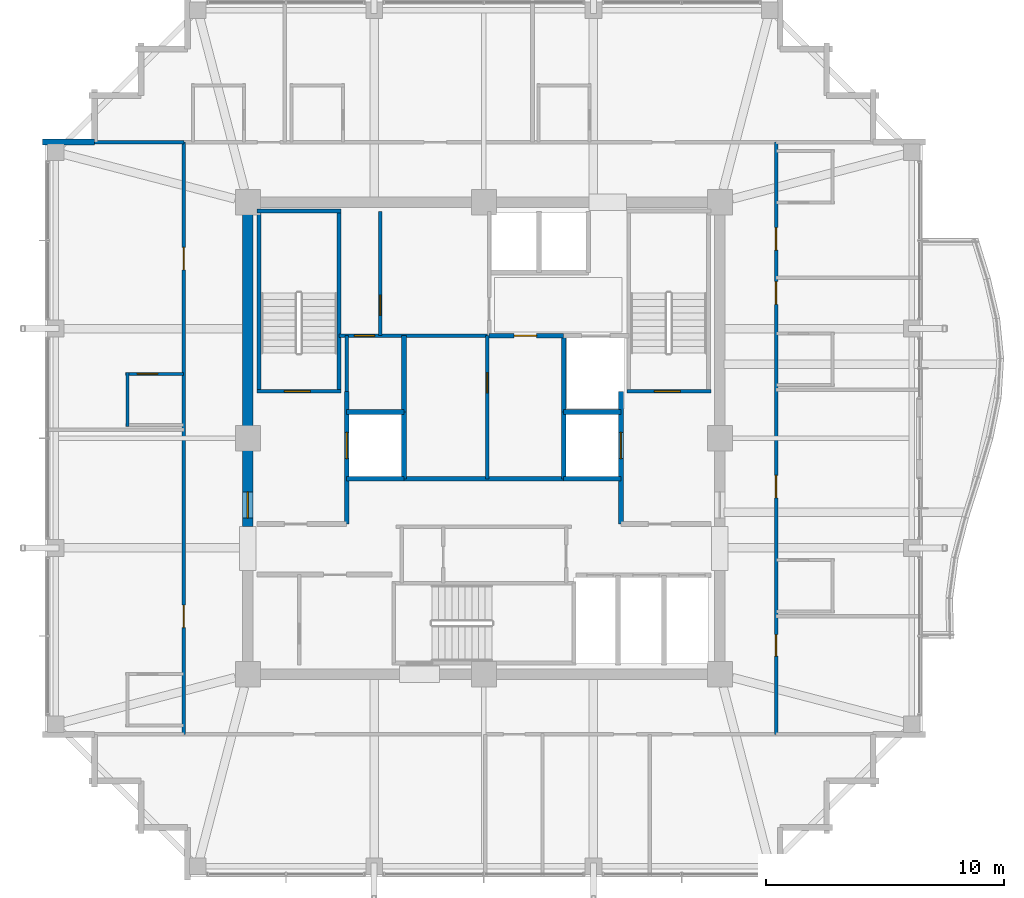
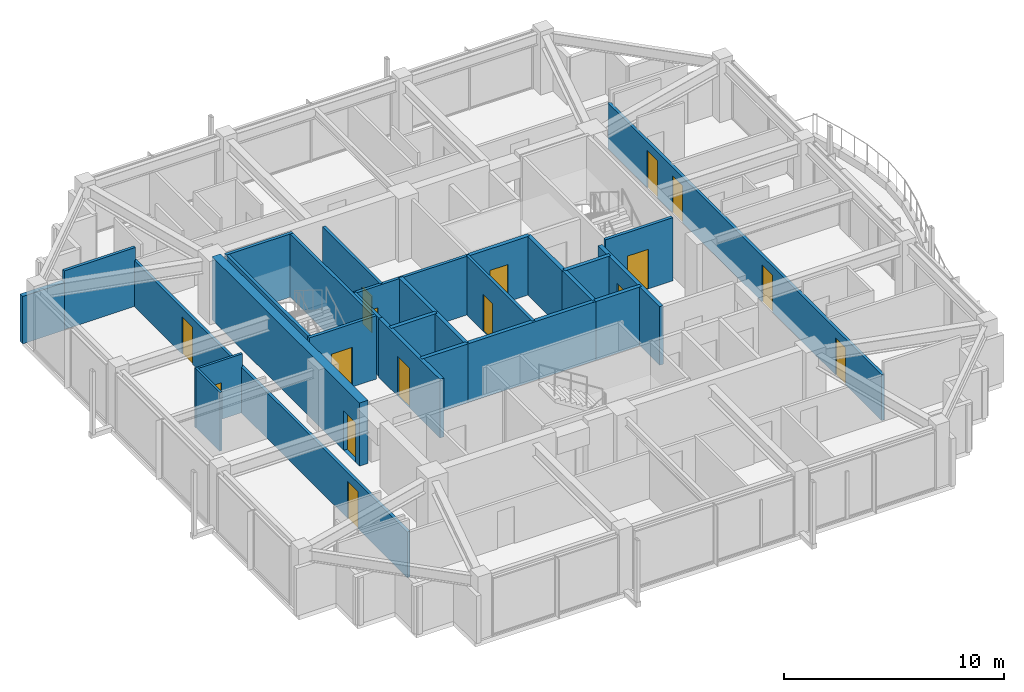
# One storey, part 25 of 29: 28 walls, 16 doors, 16 openings.
"""IFC4 building model written with IfcOpenShell, lengths in metres."""

from ifc_helpers import new_model, si_unit, direction, frame, frame_2d, origin, place, context, subcontext, project, spatial, rectangle, extrude, material, layer, layer_set, type_object, element, fill, save


model = new_model("IFC4")

# Units and contexts
model_context = context("Model", 3, precision=1e-05, world=origin(), true_north=direction((0.0, 1.0)))
body_context = subcontext(model_context, "Body", "Model", "MODEL_VIEW")
ifc_project = project(units=[si_unit("LENGTHUNIT", "METRE"), si_unit("AREAUNIT", "SQUARE_METRE"), si_unit("VOLUMEUNIT", "CUBIC_METRE"), si_unit("PLANEANGLEUNIT", "RADIAN"), si_unit("MASSUNIT", "GRAM", prefix="KILO")], contexts=[model_context])

# Site, building, storey
site_placement = place(None, origin())
site = spatial("IfcSite", under=ifc_project, at=site_placement, CompositionType="ELEMENT")
building_placement = place(site_placement, origin())
building = spatial("IfcBuilding", under=site, at=building_placement, Name="Kolvaren Belvedere", CompositionType="ELEMENT")
storey_placement = place(building_placement, frame((0.0, 0.0, 244.39990234375)))
storey = spatial("IfcBuildingStorey", under=building, at=storey_placement, Name="L71", CompositionType="ELEMENT", Elevation=244.39990234375)

# Wall, opening, door
ifc_material_1 = material(Name="Concrete C50/60", Category="concrete")
ifc_layer_1 = layer(ifc_material_1, 0.449951171875)
ifc_layer_set_1 = layer_set([ifc_layer_1], Name="Concrete C50/60")
wall_type_1 = type_object("IfcWallType", Name="CW-CORE-450", PredefinedType="SHEAR", material=ifc_layer_set_1)
wall_1_placement = place(storey_placement, frame((-9.89990234375, -3.699951171875, 0.0), z_axis=(0.0, 0.0, 1.0), x_axis=(0.0, 1.0, 0.0)))
wall_1 = element("IfcWall", 1, at=wall_1_placement, inside=storey, type_object=wall_type_1, Name="L71 West Core Shear Wall 2", PredefinedType="SHEAR", context=body_context, shape_type="SweptSolid", body=[
    extrude(rectangle(XDim=13.375, YDim=0.449951171875, at=frame_2d((6.6875, 0.0))), origin(), (0.0, 0.0, 1.0), 3.5),
])
opening_1_placement = place(wall_1_placement, frame((0.35009765625, 0.0, 0.0)))
opening_1 = element("IfcOpeningElement", 2, at=opening_1_placement, cuts=wall_1, Name="Opening D-FD90", PredefinedType="OPENING", context=body_context, shape_type="SweptSolid", body=[
    extrude(rectangle(XDim=1.10009765625, YDim=2.199951171875, at=frame_2d((0.550048828125, 1.10009765625))), frame((0.0, 0.23486328125, 0.0), z_axis=(0.0, -1.0, 0.0), x_axis=(1.0, 0.0, 0.0)), (0.0, 0.0, 1.0), 0.469970703125),
])
ifc_material_2 = material(Name="Painted hollow stainless steel", Category="steel")
door_type_1 = type_object("IfcDoorType", Name="DR-FD90-1100", OperationType="NOTDEFINED", PredefinedType="DOOR", material=ifc_material_2)
door_1_placement = place(opening_1_placement, origin())
door_1 = element("IfcDoor", 3, at=door_1_placement, inside=storey, type_object=door_type_1, Name="L71 West Firefighting Lobby Fire Door", OperationType="SINGLE_SWING_LEFT", OverallHeight=2.199951171875, OverallWidth=1.10009765625, PredefinedType="DOOR", context=body_context, shape_type="SweptSolid", body=[
    extrude(rectangle(XDim=1.10009765625, YDim=2.199951171875, at=frame_2d((0.550048828125, 1.10009765625))), frame((0.0, 0.02490234375, 0.0), z_axis=(0.0, -1.0, 0.0), x_axis=(1.0, 0.0, 0.0)), (0.0, 0.0, 1.0), 0.050048828125),
])
fill(opening_1, door_1)

ifc_material_3 = material(Name="Concrete C50/60", Category="concrete")
ifc_layer_2 = layer(ifc_material_3, 0.159912109375)
ifc_layer_set_2 = layer_set([ifc_layer_2], Name="Concrete C50/60")
wall_type_2 = type_object("IfcWallType", Name="CW-STAIR-160", PredefinedType="SHEAR", material=ifc_layer_set_2)
wall_2_placement = place(storey_placement, frame((-9.52001953125, 1.969970703125, 0.0), z_axis=(0.0, 0.0, 1.0), x_axis=(1.0, 0.0, 0.0)))
wall_2 = element("IfcWall", 4, at=wall_2_placement, inside=storey, type_object=wall_type_2, Name="L71 Stair ST-1 South Shear Wall", PredefinedType="SHEAR", context=body_context, shape_type="SweptSolid", body=[
    extrude(rectangle(XDim=3.52001953125, YDim=0.159912109375, at=frame_2d((1.760009765625, 0.0))), origin(), (0.0, 0.0, 1.0), 3.5),
])
opening_2_placement = place(wall_2_placement, frame((1.14990234375, 0.0, 0.0)))
opening_2 = element("IfcOpeningElement", 5, at=opening_2_placement, cuts=wall_2, Name="Opening D-FD90", PredefinedType="OPENING", context=body_context, shape_type="SweptSolid", body=[
    extrude(rectangle(XDim=1.10009765625, YDim=2.199951171875, at=frame_2d((0.550048828125, 1.10009765625))), frame((0.0, 0.08984375, 0.0), z_axis=(0.0, -1.0, 0.0), x_axis=(1.0, 0.0, 0.0)), (0.0, 0.0, 1.0), 0.179931640625),
])
door_2_placement = place(opening_2_placement, origin())
door_2 = element("IfcDoor", 6, at=door_2_placement, inside=storey, type_object=door_type_1, Name="L71 Stair ST-1 Fire Door", OperationType="SINGLE_SWING_LEFT", OverallHeight=2.199951171875, OverallWidth=1.10009765625, PredefinedType="DOOR", context=body_context, shape_type="SweptSolid", body=[
    extrude(rectangle(XDim=1.10009765625, YDim=2.199951171875, at=frame_2d((0.550048828125, 1.10009765625))), frame((0.0, 0.02490234375, 0.0), z_axis=(0.0, -1.0, 0.0), x_axis=(1.0, 0.0, 0.0)), (0.0, 0.0, 1.0), 0.050048828125),
])
fill(opening_2, door_2)

# Walls
wall_3_placement = place(storey_placement, frame((-9.52001953125, 9.530029296875, 0.0), z_axis=(0.0, 0.0, 1.0), x_axis=(1.0, 0.0, 0.0)))
element("IfcWall", 7, at=wall_3_placement, inside=storey, type_object=wall_type_2, Name="L71 Stair ST-1 North Shear Wall", PredefinedType="SHEAR", context=body_context, shape_type="SweptSolid", body=[
    extrude(rectangle(XDim=3.52001953125, YDim=0.159912109375, at=frame_2d((1.760009765625, 0.0))), origin(), (0.0, 0.0, 1.0), 3.5),
])
for number, where, z_axis, x_axis, name in (
    (8, (-9.429931640625, 1.969970703125, 0.0), (0.0, 0.0, 1.0), (0.0, 1.0, 0.0), "L71 Stair ST-1 West Shear Wall"),
    (9, (-6.080078125, 1.969970703125, 0.0), (0.0, 0.0, 1.0), (0.0, 1.0, 0.0), "L71 Stair ST-1 East Shear Wall"),
):
    element("IfcWall", number, at=place(storey_placement, frame(where, z_axis=z_axis, x_axis=x_axis)), inside=storey, type_object=wall_type_2, Name=name, PredefinedType="SHEAR", context=body_context, shape_type="SweptSolid", body=[
        extrude(rectangle(XDim=7.56005859375, YDim=0.159912109375, at=frame_2d((3.780029296875, 0.0))), origin(), (0.0, 0.0, 1.0), 3.5),
    ])

# Wall, opening, door
wall_4_placement = place(storey_placement, frame((6.0, 1.969970703125, 0.0), z_axis=(0.0, 0.0, 1.0), x_axis=(1.0, 0.0, 0.0)))
wall_4 = element("IfcWall", 10, at=wall_4_placement, inside=storey, type_object=wall_type_2, Name="L71 Stair ST-2 South Shear Wall", PredefinedType="SHEAR", context=body_context, shape_type="SweptSolid", body=[
    extrude(rectangle(XDim=3.52001953125, YDim=0.159912109375, at=frame_2d((1.760009765625, 0.0))), origin(), (0.0, 0.0, 1.0), 3.5),
])
opening_3_placement = place(wall_4_placement, frame((1.14990234375, 0.0, 0.0)))
opening_3 = element("IfcOpeningElement", 11, at=opening_3_placement, cuts=wall_4, Name="Opening D-FD90", PredefinedType="OPENING", context=body_context, shape_type="SweptSolid", body=[
    extrude(rectangle(XDim=1.10009765625, YDim=2.199951171875, at=frame_2d((0.550048828125, 1.10009765625))), frame((0.0, 0.08984375, 0.0), z_axis=(0.0, -1.0, 0.0), x_axis=(1.0, 0.0, 0.0)), (0.0, 0.0, 1.0), 0.179931640625),
])
door_3_placement = place(opening_3_placement, origin())
door_3 = element("IfcDoor", 12, at=door_3_placement, inside=storey, type_object=door_type_1, Name="L71 Stair ST-2 Fire Door", OperationType="SINGLE_SWING_RIGHT", OverallHeight=2.199951171875, OverallWidth=1.10009765625, PredefinedType="DOOR", context=body_context, shape_type="SweptSolid", body=[
    extrude(rectangle(XDim=1.10009765625, YDim=2.199951171875, at=frame_2d((0.550048828125, 1.10009765625))), frame((0.0, 0.02490234375, 0.0), z_axis=(0.0, -1.0, 0.0), x_axis=(1.0, 0.0, 0.0)), (0.0, 0.0, 1.0), 0.050048828125),
])
fill(opening_3, door_3)

# Wall, openings, doors
ifc_material_4 = material(Name="Gypsum fire-rated partition assembly", Category="gypsum")
ifc_layer_3 = layer(ifc_material_4, 0.14990234375)
ifc_layer_set_3 = layer_set([ifc_layer_3], Name="Gypsum fire-rated partition assembly")
wall_type_3 = type_object("IfcWallType", Name="WL-CORR-150", PredefinedType="PARTITIONING", material=ifc_layer_set_3)
wall_5_placement = place(storey_placement, frame((-12.580078125, -12.419921875, 0.0), z_axis=(0.0, 0.0, 1.0), x_axis=(0.0, 1.0, 0.0)))
wall_5 = element("IfcWall", 13, at=wall_5_placement, inside=storey, type_object=wall_type_3, Name="L71 West Corridor Wall", PredefinedType="PARTITIONING", context=body_context, shape_type="SweptSolid", body=[
    extrude(rectangle(XDim=24.83984375, YDim=0.14990234375, at=frame_2d((12.419921875, 0.0))), origin(), (0.0, 0.0, 1.0), 2.5390625),
])
opening_4_placement = place(wall_5_placement, frame((4.474609375, 0.0, 0.0)))
opening_4 = element("IfcOpeningElement", 14, at=opening_4_placement, cuts=wall_5, Name="Opening D-FD60", PredefinedType="OPENING", context=body_context, shape_type="SweptSolid", body=[
    extrude(rectangle(XDim=0.949951171875, YDim=2.06005859375, at=frame_2d((0.47509765625, 1.030029296875))), frame((0.0, 0.0849609375, 0.0), z_axis=(0.0, -1.0, 0.0), x_axis=(1.0, 0.0, 0.0)), (0.0, 0.0, 1.0), 0.169921875),
])
opening_5_placement = place(wall_5_placement, frame((19.47998046875, 0.0, 0.0)))
opening_5 = element("IfcOpeningElement", 15, at=opening_5_placement, cuts=wall_5, Name="Opening D-FD60", PredefinedType="OPENING", context=body_context, shape_type="SweptSolid", body=[
    extrude(rectangle(XDim=0.949951171875, YDim=2.06005859375, at=frame_2d((0.47509765625, 1.030029296875))), frame((0.0, 0.0849609375, 0.0), z_axis=(0.0, -1.0, 0.0), x_axis=(1.0, 0.0, 0.0)), (0.0, 0.0, 1.0), 0.169921875),
])
ifc_material_5 = material(Name="Acoustic white-oak fire door leaf", Category="timber")
door_type_2 = type_object("IfcDoorType", Name="DR-FD60-950", OperationType="NOTDEFINED", PredefinedType="DOOR", material=ifc_material_5)
door_4_placement = place(opening_4_placement, origin())
door_4 = element("IfcDoor", 16, at=door_4_placement, inside=storey, type_object=door_type_2, Name="L71 Twin Guest Room 7107 Entry Door", OperationType="SINGLE_SWING_LEFT", OverallHeight=2.06005859375, OverallWidth=0.949951171875, PredefinedType="DOOR", context=body_context, shape_type="SweptSolid", body=[
    extrude(rectangle(XDim=0.949951171875, YDim=2.06005859375, at=frame_2d((0.47509765625, 1.030029296875))), frame((0.0, 0.02490234375, 0.0), z_axis=(0.0, -1.0, 0.0), x_axis=(1.0, 0.0, 0.0)), (0.0, 0.0, 1.0), 0.050048828125),
])
fill(opening_4, door_4)
door_5_placement = place(opening_5_placement, origin())
door_5 = element("IfcDoor", 17, at=door_5_placement, inside=storey, type_object=door_type_2, Name="L71 Deluxe King Guest Room 7108 Entry Door", OperationType="SINGLE_SWING_LEFT", OverallHeight=2.06005859375, OverallWidth=0.949951171875, PredefinedType="DOOR", context=body_context, shape_type="SweptSolid", body=[
    extrude(rectangle(XDim=0.949951171875, YDim=2.06005859375, at=frame_2d((0.47509765625, 1.030029296875))), frame((0.0, 0.02490234375, 0.0), z_axis=(0.0, -1.0, 0.0), x_axis=(1.0, 0.0, 0.0)), (0.0, 0.0, 1.0), 0.050048828125),
])
fill(opening_5, door_5)

wall_6_placement = place(storey_placement, frame((12.260009765625, -12.419921875, 0.0), z_axis=(0.0, 0.0, 1.0), x_axis=(0.0, 1.0, 0.0)))
wall_6 = element("IfcWall", 18, at=wall_6_placement, inside=storey, type_object=wall_type_3, Name="L71 East Corridor Wall", PredefinedType="PARTITIONING", context=body_context, shape_type="SweptSolid", body=[
    extrude(rectangle(XDim=24.83984375, YDim=0.14990234375, at=frame_2d((12.419921875, 0.0))), origin(), (0.0, 0.0, 1.0), 2.5390625),
])
opening_6_placement = place(wall_6_placement, frame((3.283203125, 0.0, 0.0)))
opening_6 = element("IfcOpeningElement", 19, at=opening_6_placement, cuts=wall_6, Name="Opening D-INT90", PredefinedType="OPENING", context=body_context, shape_type="SweptSolid", body=[
    extrude(rectangle(XDim=0.89990234375, YDim=2.06005859375, at=frame_2d((0.449951171875, 1.030029296875))), frame((0.0, 0.0849609375, 0.0), z_axis=(0.0, -1.0, 0.0), x_axis=(1.0, 0.0, 0.0)), (0.0, 0.0, 1.0), 0.169921875),
])
opening_7_placement = place(wall_6_placement, frame((9.9150390625, 0.0, 0.0)))
opening_7 = element("IfcOpeningElement", 20, at=opening_7_placement, cuts=wall_6, Name="Opening D-FD60", PredefinedType="OPENING", context=body_context, shape_type="SweptSolid", body=[
    extrude(rectangle(XDim=0.949951171875, YDim=2.06005859375, at=frame_2d((0.47509765625, 1.030029296875))), frame((0.0, 0.0849609375, 0.0), z_axis=(0.0, -1.0, 0.0), x_axis=(1.0, 0.0, 0.0)), (0.0, 0.0, 1.0), 0.169921875),
])
opening_8_placement = place(wall_6_placement, frame((18.0380859375, 0.0, 0.0)))
opening_8 = element("IfcOpeningElement", 21, at=opening_8_placement, cuts=wall_6, Name="Opening D-FD60", PredefinedType="OPENING", context=body_context, shape_type="SweptSolid", body=[
    extrude(rectangle(XDim=0.949951171875, YDim=2.06005859375, at=frame_2d((0.47509765625, 1.030029296875))), frame((0.0, 0.0849609375, 0.0), z_axis=(0.0, -1.0, 0.0), x_axis=(1.0, 0.0, 0.0)), (0.0, 0.0, 1.0), 0.169921875),
])
opening_9_placement = place(wall_6_placement, frame((20.30859375, 0.0, 0.0)))
opening_9 = element("IfcOpeningElement", 22, at=opening_9_placement, cuts=wall_6, Name="Opening D-FD60", PredefinedType="OPENING", context=body_context, shape_type="SweptSolid", body=[
    extrude(rectangle(XDim=0.949951171875, YDim=2.06005859375, at=frame_2d((0.47509765625, 1.030029296875))), frame((0.0, 0.0849609375, 0.0), z_axis=(0.0, -1.0, 0.0), x_axis=(1.0, 0.0, 0.0)), (0.0, 0.0, 1.0), 0.169921875),
])
door_6_placement = place(opening_7_placement, origin())
door_6 = element("IfcDoor", 23, at=door_6_placement, inside=storey, type_object=door_type_2, Name="L71 Deluxe King Guest Room 7104 Entry Door", OperationType="SINGLE_SWING_LEFT", OverallHeight=2.06005859375, OverallWidth=0.949951171875, PredefinedType="DOOR", context=body_context, shape_type="SweptSolid", body=[
    extrude(rectangle(XDim=0.949951171875, YDim=2.06005859375, at=frame_2d((0.47509765625, 1.030029296875))), frame((0.0, 0.02490234375, 0.0), z_axis=(0.0, -1.0, 0.0), x_axis=(1.0, 0.0, 0.0)), (0.0, 0.0, 1.0), 0.050048828125),
])
fill(opening_7, door_6)
door_7_placement = place(opening_8_placement, origin())
door_7 = element("IfcDoor", 24, at=door_7_placement, inside=storey, type_object=door_type_2, Name="L71 Twin Guest Room 7105 Entry Door", OperationType="SINGLE_SWING_LEFT", OverallHeight=2.06005859375, OverallWidth=0.949951171875, PredefinedType="DOOR", context=body_context, shape_type="SweptSolid", body=[
    extrude(rectangle(XDim=0.949951171875, YDim=2.06005859375, at=frame_2d((0.47509765625, 1.030029296875))), frame((0.0, 0.02490234375, 0.0), z_axis=(0.0, -1.0, 0.0), x_axis=(1.0, 0.0, 0.0)), (0.0, 0.0, 1.0), 0.050048828125),
])
fill(opening_8, door_7)
door_8_placement = place(opening_9_placement, origin())
door_8 = element("IfcDoor", 25, at=door_8_placement, inside=storey, type_object=door_type_2, Name="L71 Deluxe King Guest Room 7106 Entry Door", OperationType="SINGLE_SWING_LEFT", OverallHeight=2.06005859375, OverallWidth=0.949951171875, PredefinedType="DOOR", context=body_context, shape_type="SweptSolid", body=[
    extrude(rectangle(XDim=0.949951171875, YDim=2.06005859375, at=frame_2d((0.47509765625, 1.030029296875))), frame((0.0, 0.02490234375, 0.0), z_axis=(0.0, -1.0, 0.0), x_axis=(1.0, 0.0, 0.0)), (0.0, 0.0, 1.0), 0.050048828125),
])
fill(opening_9, door_8)
ifc_material_6 = material(Name="Stained Pacific white oak", Category="timber")
door_type_3 = type_object("IfcDoorType", Name="DR-INT-900", OperationType="NOTDEFINED", PredefinedType="DOOR", material=ifc_material_6)
door_9_placement = place(opening_6_placement, origin())
door_9 = element("IfcDoor", 26, at=door_9_placement, inside=storey, type_object=door_type_3, Name="L71 Botanical Reading Salon 7103 Door", OperationType="SINGLE_SWING_LEFT", OverallHeight=2.06005859375, OverallWidth=0.89990234375, PredefinedType="DOOR", context=body_context, shape_type="SweptSolid", body=[
    extrude(rectangle(XDim=0.89990234375, YDim=2.06005859375, at=frame_2d((0.449951171875, 1.030029296875))), frame((0.0, 0.02490234375, 0.0), z_axis=(0.0, -1.0, 0.0), x_axis=(1.0, 0.0, 0.0)), (0.0, 0.0, 1.0), 0.050048828125),
])
fill(opening_6, door_9)

# Wall
ifc_material_7 = material(Name="Insulated pale-metal facade wall assembly", Category="aluminium")
ifc_layer_4 = layer(ifc_material_7, 0.239990234375)
ifc_layer_set_4 = layer_set([ifc_layer_4], Name="Insulated pale-metal facade wall assembly")
wall_type_4 = type_object("IfcWallType", Name="WL-EXT-240", PredefinedType="STANDARD", material=ifc_layer_set_4)
wall_7_placement = place(storey_placement, frame((-18.52001953125, 12.429931640625, 0.0), z_axis=(0.0, 0.0, 1.0), x_axis=(1.0, 0.0, 0.0)))
element("IfcWall", 27, at=wall_7_placement, inside=storey, type_object=wall_type_4, Name="L71 Serrated Corner Facade Wall 21", PredefinedType="STANDARD", context=body_context, shape_type="SweptSolid", body=[
    extrude(rectangle(XDim=2.18994140625, YDim=0.239990234375, at=frame_2d((1.094970703125, 0.0))), origin(), (0.0, 0.0, 1.0), 2.633056640625),
])

# Wall, opening, door
ifc_material_8 = material(Name="Gypsum acoustic partition assembly", Category="gypsum")
ifc_layer_5 = layer(ifc_material_8, 0.14990234375)
ifc_layer_set_5 = layer_set([ifc_layer_5], Name="Gypsum acoustic partition assembly")
wall_type_5 = type_object("IfcWallType", Name="WL-PART-150", PredefinedType="PARTITIONING", material=ifc_layer_set_5)
wall_8_placement = place(storey_placement, frame((-6.080078125, 4.300048828125, 0.0), z_axis=(0.0, 0.0, 1.0), x_axis=(1.0, 0.0, 0.0)))
wall_8 = element("IfcWall", 28, at=wall_8_placement, inside=storey, type_object=wall_type_5, Name="L71 Reclaimed Salon South Wall", PredefinedType="PARTITIONING", context=body_context, shape_type="SweptSolid", body=[
    extrude(rectangle(XDim=6.300048828125, YDim=0.14990234375, at=frame_2d((3.14990234375, 0.0))), origin(), (0.0, 0.0, 1.0), 3.25),
])
opening_10_placement = place(wall_8_placement, frame((0.64990234375, 0.0, 0.0)))
opening_10 = element("IfcOpeningElement", 29, at=opening_10_placement, cuts=wall_8, Name="Opening D-INT85", PredefinedType="OPENING", context=body_context, shape_type="SweptSolid", body=[
    extrude(rectangle(XDim=0.85009765625, YDim=2.030029296875, at=frame_2d((0.425048828125, 1.01513671875))), frame((0.0, 0.0849609375, 0.0), z_axis=(0.0, -1.0, 0.0), x_axis=(1.0, 0.0, 0.0)), (0.0, 0.0, 1.0), 0.169921875),
])
ifc_material_9 = material(Name="Stained Pacific white oak", Category="timber")
door_type_4 = type_object("IfcDoorType", Name="DR-INT-850", OperationType="NOTDEFINED", PredefinedType="DOOR", material=ifc_material_9)
door_10_placement = place(opening_10_placement, origin())
door_10 = element("IfcDoor", 30, at=door_10_placement, inside=storey, type_object=door_type_4, Name="L71 NW Core Store Door", OperationType="SINGLE_SWING_RIGHT", OverallHeight=2.030029296875, OverallWidth=0.85009765625, PredefinedType="DOOR", context=body_context, shape_type="SweptSolid", body=[
    extrude(rectangle(XDim=0.85009765625, YDim=2.030029296875, at=frame_2d((0.425048828125, 1.01513671875))), frame((0.0, 0.02490234375, 0.0), z_axis=(0.0, -1.0, 0.0), x_axis=(1.0, 0.0, 0.0)), (0.0, 0.0, 1.0), 0.050048828125),
])
fill(opening_10, door_10)

wall_9_placement = place(storey_placement, frame((-4.35009765625, 4.300048828125, 0.0), z_axis=(0.0, 0.0, 1.0), x_axis=(0.0, 1.0, 0.0)))
wall_9 = element("IfcWall", 31, at=wall_9_placement, inside=storey, type_object=wall_type_5, Name="L71 Reclaimed Archive Divider", PredefinedType="PARTITIONING", context=body_context, shape_type="SweptSolid", body=[
    extrude(rectangle(XDim=5.219970703125, YDim=0.14990234375, at=frame_2d((2.60986328125, 0.0))), origin(), (0.0, 0.0, 1.0), 3.25),
])
opening_11_placement = place(wall_9_placement, frame((0.85009765625, 0.0, 0.0)))
opening_11 = element("IfcOpeningElement", 32, at=opening_11_placement, cuts=wall_9, Name="Opening D-INT85", PredefinedType="OPENING", context=body_context, shape_type="SweptSolid", body=[
    extrude(rectangle(XDim=0.85009765625, YDim=2.030029296875, at=frame_2d((0.425048828125, 1.01513671875))), frame((0.0, 0.0849609375, 0.0), z_axis=(0.0, -1.0, 0.0), x_axis=(1.0, 0.0, 0.0)), (0.0, 0.0, 1.0), 0.169921875),
])
door_11_placement = place(opening_11_placement, origin())
door_11 = element("IfcDoor", 33, at=door_11_placement, inside=storey, type_object=door_type_4, Name="L71 Archive Store Door", OperationType="SINGLE_SWING_RIGHT", OverallHeight=2.030029296875, OverallWidth=0.85009765625, PredefinedType="DOOR", context=body_context, shape_type="SweptSolid", body=[
    extrude(rectangle(XDim=0.85009765625, YDim=2.030029296875, at=frame_2d((0.425048828125, 1.01513671875))), frame((0.0, 0.02490234375, 0.0), z_axis=(0.0, -1.0, 0.0), x_axis=(1.0, 0.0, 0.0)), (0.0, 0.0, 1.0), 0.050048828125),
])
fill(opening_11, door_11)

wall_10_placement = place(storey_placement, frame((0.14990234375, -1.699951171875, 0.0), z_axis=(0.0, 0.0, 1.0), x_axis=(0.0, 1.0, 0.0)))
wall_10 = element("IfcWall", 34, at=wall_10_placement, inside=storey, type_object=wall_type_5, Name="L71 Central Core V-Divider", PredefinedType="PARTITIONING", context=body_context, shape_type="SweptSolid", body=[
    extrude(rectangle(XDim=6.0, YDim=0.14990234375, at=frame_2d((3.0, 0.0))), origin(), (0.0, 0.0, 1.0), 3.25),
])
opening_12_placement = place(wall_10_placement, frame((3.60009765625, 0.0, 0.0)))
opening_12 = element("IfcOpeningElement", 35, at=opening_12_placement, cuts=wall_10, Name="Opening D-INT85", PredefinedType="OPENING", context=body_context, shape_type="SweptSolid", body=[
    extrude(rectangle(XDim=0.85009765625, YDim=2.030029296875, at=frame_2d((0.425048828125, 1.01513671875))), frame((0.0, 0.0849609375, 0.0), z_axis=(0.0, -1.0, 0.0), x_axis=(1.0, 0.0, 0.0)), (0.0, 0.0, 1.0), 0.169921875),
])
door_12_placement = place(opening_12_placement, origin())
door_12 = element("IfcDoor", 36, at=door_12_placement, inside=storey, type_object=door_type_4, Name="L71 Central Linen Door", OperationType="SINGLE_SWING_RIGHT", OverallHeight=2.030029296875, OverallWidth=0.85009765625, PredefinedType="DOOR", context=body_context, shape_type="SweptSolid", body=[
    extrude(rectangle(XDim=0.85009765625, YDim=2.030029296875, at=frame_2d((0.425048828125, 1.01513671875))), frame((0.0, 0.02490234375, 0.0), z_axis=(0.0, -1.0, 0.0), x_axis=(1.0, 0.0, 0.0)), (0.0, 0.0, 1.0), 0.050048828125),
])
fill(opening_12, door_12)

# Walls
wall_11_placement = place(storey_placement, frame((-5.75, 1.969970703125, 0.0), z_axis=(0.0, 0.0, 1.0), x_axis=(0.0, 1.0, 0.0)))
element("IfcWall", 37, at=wall_11_placement, inside=storey, type_object=wall_type_5, Name="L71 NW Service Room West Wall", PredefinedType="PARTITIONING", context=body_context, shape_type="SweptSolid", body=[
    extrude(rectangle(XDim=2.330078125, YDim=0.14990234375, at=frame_2d((1.1650390625, 0.0))), origin(), (0.0, 0.0, 1.0), 3.25),
])
wall_12_placement = place(storey_placement, frame((-16.320068359375, 12.419921875, 0.0), z_axis=(0.0, 0.0, 1.0), x_axis=(1.0, 0.0, 0.0)))
element("IfcWall", 38, at=wall_12_placement, inside=storey, type_object=wall_type_5, Name="L71 Wing Divider PW-L71-QNW", PredefinedType="PARTITIONING", context=body_context, shape_type="SweptSolid", body=[
    extrude(rectangle(XDim=3.739990234375, YDim=0.14990234375, at=frame_2d((1.8701171875, 0.0))), origin(), (0.0, 0.0, 1.0), 3.25),
])

# Wall, opening, door
ifc_material_10 = material(Name="Concrete C50/60", Category="concrete")
ifc_layer_6 = layer(ifc_material_10, 0.199951171875)
ifc_layer_set_6 = layer_set([ifc_layer_6], Name="Concrete C50/60")
wall_type_6 = type_object("IfcWallType", Name="WL-SHAFT-200", PredefinedType="SOLIDWALL", material=ifc_layer_set_6)
wall_13_placement = place(storey_placement, frame((-5.75, -3.60009765625, 0.0), z_axis=(0.0, 0.0, 1.0), x_axis=(0.0, 1.0, 0.0)))
wall_13 = element("IfcWall", 39, at=wall_13_placement, inside=storey, type_object=wall_type_6, Name="L71 FSAE FS1 Landing Wall", PredefinedType="SOLIDWALL", context=body_context, shape_type="SweptSolid", body=[
    extrude(rectangle(XDim=5.570068359375, YDim=0.199951171875, at=frame_2d((2.78515625, 0.0))), origin(), (0.0, 0.0, 1.0), 3.25),
])
opening_13_placement = place(wall_13_placement, frame((2.75, 0.0, 0.0)))
opening_13 = element("IfcOpeningElement", 40, at=opening_13_placement, cuts=wall_13, Name="Opening LD-11", PredefinedType="OPENING", context=body_context, shape_type="SweptSolid", body=[
    extrude(rectangle(XDim=1.10009765625, YDim=2.199951171875, at=frame_2d((0.550048828125, 1.10009765625))), frame((0.0, 0.10986328125, 0.0), z_axis=(0.0, -1.0, 0.0), x_axis=(1.0, 0.0, 0.0)), (0.0, 0.0, 1.0), 0.219970703125),
])
ifc_material_11 = material(Name="Brushed stainless steel", Category="steel")
door_type_5 = type_object("IfcDoorType", Name="DR-LIFT-1100", OperationType="DOUBLE_DOOR_SLIDING", PredefinedType="DOOR", material=ifc_material_11)
door_13_placement = place(opening_13_placement, origin())
door_13 = element("IfcDoor", 41, at=door_13_placement, inside=storey, type_object=door_type_5, Name="L71 Firefighting Lift FS1 Landing Door", OperationType="DOUBLE_DOOR_SLIDING", OverallHeight=2.199951171875, OverallWidth=1.10009765625, PredefinedType="DOOR", context=body_context, shape_type="SweptSolid", body=[
    extrude(rectangle(XDim=1.10009765625, YDim=2.199951171875, at=frame_2d((0.550048828125, 1.10009765625))), frame((0.0, 0.02490234375, 0.0), z_axis=(0.0, -1.0, 0.0), x_axis=(1.0, 0.0, 0.0)), (0.0, 0.0, 1.0), 0.050048828125),
])
fill(opening_13, door_13)

# Walls
wall_14_placement = place(storey_placement, frame((-3.35009765625, -1.699951171875, 0.0), z_axis=(0.0, 0.0, 1.0), x_axis=(0.0, 1.0, 0.0)))
element("IfcWall", 42, at=wall_14_placement, inside=storey, type_object=wall_type_6, Name="L71 FSAE FS1 Back Wall", PredefinedType="SOLIDWALL", context=body_context, shape_type="SweptSolid", body=[
    extrude(rectangle(XDim=2.800048828125, YDim=0.199951171875, at=frame_2d((1.39990234375, 0.0))), origin(), (0.0, 0.0, 1.0), 3.25),
])
for number, where, z_axis, x_axis, name in (
    (43, (-5.75, -1.699951171875, 0.0), (0.0, 0.0, 1.0), (1.0, 0.0, 0.0), "L71 FSAE FS1 South Wall"),
    (44, (-5.75, 1.10009765625, 0.0), (0.0, 0.0, 1.0), (1.0, 0.0, 0.0), "L71 FSAE FS1 North Wall"),
):
    element("IfcWall", number, at=place(storey_placement, frame(where, z_axis=z_axis, x_axis=x_axis)), inside=storey, type_object=wall_type_6, Name=name, PredefinedType="SOLIDWALL", context=body_context, shape_type="SweptSolid", body=[
        extrude(rectangle(XDim=2.39990234375, YDim=0.199951171875, at=frame_2d((1.199951171875, 0.0))), origin(), (0.0, 0.0, 1.0), 3.25),
    ])

# Wall, opening, door
wall_15_placement = place(storey_placement, frame((5.75, -3.60009765625, 0.0), z_axis=(0.0, 0.0, 1.0), x_axis=(0.0, 1.0, 0.0)))
wall_15 = element("IfcWall", 45, at=wall_15_placement, inside=storey, type_object=wall_type_6, Name="L71 FSAE FS2 Landing Wall", PredefinedType="SOLIDWALL", context=body_context, shape_type="SweptSolid", body=[
    extrude(rectangle(XDim=5.570068359375, YDim=0.199951171875, at=frame_2d((2.78515625, 0.0))), origin(), (0.0, 0.0, 1.0), 3.25),
])
opening_14_placement = place(wall_15_placement, frame((2.75, 0.0, 0.0)))
opening_14 = element("IfcOpeningElement", 46, at=opening_14_placement, cuts=wall_15, Name="Opening LD-11", PredefinedType="OPENING", context=body_context, shape_type="SweptSolid", body=[
    extrude(rectangle(XDim=1.10009765625, YDim=2.199951171875, at=frame_2d((0.550048828125, 1.10009765625))), frame((0.0, 0.10986328125, 0.0), z_axis=(0.0, -1.0, 0.0), x_axis=(1.0, 0.0, 0.0)), (0.0, 0.0, 1.0), 0.219970703125),
])
door_14_placement = place(opening_14_placement, origin())
door_14 = element("IfcDoor", 47, at=door_14_placement, inside=storey, type_object=door_type_5, Name="L71 Firefighting Lift FS2 Landing Door", OperationType="DOUBLE_DOOR_SLIDING", OverallHeight=2.199951171875, OverallWidth=1.10009765625, PredefinedType="DOOR", context=body_context, shape_type="SweptSolid", body=[
    extrude(rectangle(XDim=1.10009765625, YDim=2.199951171875, at=frame_2d((0.550048828125, 1.10009765625))), frame((0.0, 0.02490234375, 0.0), z_axis=(0.0, -1.0, 0.0), x_axis=(1.0, 0.0, 0.0)), (0.0, 0.0, 1.0), 0.050048828125),
])
fill(opening_14, door_14)

# Walls
wall_16_placement = place(storey_placement, frame((3.35009765625, -1.699951171875, 0.0), z_axis=(0.0, 0.0, 1.0), x_axis=(0.0, 1.0, 0.0)))
element("IfcWall", 48, at=wall_16_placement, inside=storey, type_object=wall_type_6, Name="L71 FSAE FS2 Back Wall", PredefinedType="SOLIDWALL", context=body_context, shape_type="SweptSolid", body=[
    extrude(rectangle(XDim=2.800048828125, YDim=0.199951171875, at=frame_2d((1.39990234375, 0.0))), origin(), (0.0, 0.0, 1.0), 3.25),
])
for number, where, z_axis, x_axis, name in (
    (49, (3.35009765625, -1.699951171875, 0.0), (0.0, 0.0, 1.0), (1.0, 0.0, 0.0), "L71 FSAE FS2 South Wall"),
    (50, (3.35009765625, 1.10009765625, 0.0), (0.0, 0.0, 1.0), (1.0, 0.0, 0.0), "L71 FSAE FS2 North Wall"),
):
    element("IfcWall", number, at=place(storey_placement, frame(where, z_axis=z_axis, x_axis=x_axis)), inside=storey, type_object=wall_type_6, Name=name, PredefinedType="SOLIDWALL", context=body_context, shape_type="SweptSolid", body=[
        extrude(rectangle(XDim=2.39990234375, YDim=0.199951171875, at=frame_2d((1.199951171875, 0.0))), origin(), (0.0, 0.0, 1.0), 3.25),
    ])

# Wall, opening, door
wall_17_placement = place(storey_placement, frame((0.219970703125, 4.300048828125, 0.0), z_axis=(0.0, 0.0, 1.0), x_axis=(1.0, 0.0, 0.0)))
wall_17 = element("IfcWall", 51, at=wall_17_placement, inside=storey, type_object=wall_type_6, Name="L71 Central Core Room North Wall", PredefinedType="SOLIDWALL", context=body_context, shape_type="SweptSolid", body=[
    extrude(rectangle(XDim=3.130126953125, YDim=0.199951171875, at=frame_2d((1.56494140625, 0.0))), origin(), (0.0, 0.0, 1.0), 3.25),
])
opening_15_placement = place(wall_17_placement, frame((1.050048828125, 0.0, 0.0)))
opening_15 = element("IfcOpeningElement", 52, at=opening_15_placement, cuts=wall_17, Name="Opening D-FD60", PredefinedType="OPENING", context=body_context, shape_type="SweptSolid", body=[
    extrude(rectangle(XDim=0.949951171875, YDim=2.06005859375, at=frame_2d((0.47509765625, 1.030029296875))), frame((0.0, 0.10986328125, 0.0), z_axis=(0.0, -1.0, 0.0), x_axis=(1.0, 0.0, 0.0)), (0.0, 0.0, 1.0), 0.219970703125),
])
door_15_placement = place(opening_15_placement, origin())
door_15 = element("IfcDoor", 53, at=door_15_placement, inside=storey, type_object=door_type_2, Name="L71 Central Core Controls Door", OperationType="SINGLE_SWING_LEFT", OverallHeight=2.06005859375, OverallWidth=0.949951171875, PredefinedType="DOOR", context=body_context, shape_type="SweptSolid", body=[
    extrude(rectangle(XDim=0.949951171875, YDim=2.06005859375, at=frame_2d((0.47509765625, 1.030029296875))), frame((0.0, 0.02490234375, 0.0), z_axis=(0.0, -1.0, 0.0), x_axis=(1.0, 0.0, 0.0)), (0.0, 0.0, 1.0), 0.050048828125),
])
fill(opening_15, door_15)

# Walls
wall_18_placement = place(storey_placement, frame((-3.35009765625, -1.699951171875, 0.0), z_axis=(0.0, 0.0, 1.0), x_axis=(1.0, 0.0, 0.0)))
element("IfcWall", 54, at=wall_18_placement, inside=storey, type_object=wall_type_6, Name="L71 Central Core Room South Wall", PredefinedType="SOLIDWALL", context=body_context, shape_type="SweptSolid", body=[
    extrude(rectangle(XDim=6.7001953125, YDim=0.199951171875, at=frame_2d((3.35009765625, 0.0))), origin(), (0.0, 0.0, 1.0), 3.25),
])
for number, where, z_axis, x_axis, name in (
    (55, (-3.35009765625, 1.10009765625, 0.0), (0.0, 0.0, 1.0), (0.0, 1.0, 0.0), "L71 Central Core Room West Wall"),
    (56, (3.35009765625, 1.10009765625, 0.0), (0.0, 0.0, 1.0), (0.0, 1.0, 0.0), "L71 Central Core Room East Wall"),
):
    element("IfcWall", number, at=place(storey_placement, frame(where, z_axis=z_axis, x_axis=x_axis)), inside=storey, type_object=wall_type_6, Name=name, PredefinedType="SOLIDWALL", context=body_context, shape_type="SweptSolid", body=[
        extrude(rectangle(XDim=3.199951171875, YDim=0.199951171875, at=frame_2d((1.60009765625, 0.0))), origin(), (0.0, 0.0, 1.0), 3.25),
    ])

# Wall, opening, door
ifc_material_12 = material(Name="Moisture-resistant gypsum partition", Category="gypsum")
ifc_layer_7 = layer(ifc_material_12, 0.125)
ifc_layer_set_7 = layer_set([ifc_layer_7], Name="Moisture-resistant gypsum partition")
wall_type_7 = type_object("IfcWallType", Name="WL-WET-125", PredefinedType="PARTITIONING", material=ifc_layer_set_7)
wall_19_placement = place(storey_placement, frame((-15.034912109375, 2.700927734375, 0.0), z_axis=(0.0, 0.0, 1.0), x_axis=(1.0, 0.0, 0.0)))
wall_19 = element("IfcWall", 57, at=wall_19_placement, inside=storey, type_object=wall_type_7, Name="L71 Bathroom Partition PW-L71-BTH-8-N", PredefinedType="PARTITIONING", context=body_context, shape_type="SweptSolid", body=[
    extrude(rectangle(XDim=2.43994140625, YDim=0.125, at=frame_2d((1.219970703125, 0.0))), origin(), (0.0, 0.0, 1.0), 3.25),
])
opening_16_placement = place(wall_19_placement, frame((0.5, 0.0, 0.0)))
opening_16 = element("IfcOpeningElement", 58, at=opening_16_placement, cuts=wall_19, Name="Opening D-BTH85", PredefinedType="OPENING", context=body_context, shape_type="SweptSolid", body=[
    extrude(rectangle(XDim=0.85009765625, YDim=2.030029296875, at=frame_2d((0.425048828125, 1.01513671875))), frame((0.0, 0.072509765625, 0.0), z_axis=(0.0, -1.0, 0.0), x_axis=(1.0, 0.0, 0.0)), (0.0, 0.0, 1.0), 0.14501953125),
])
ifc_material_13 = material(Name="Moisture-sealed Pacific white oak", Category="timber")
door_type_6 = type_object("IfcDoorType", Name="DR-BATH-850", OperationType="NOTDEFINED", PredefinedType="DOOR", material=ifc_material_13)
door_16_placement = place(opening_16_placement, origin())
door_16 = element("IfcDoor", 59, at=door_16_placement, inside=storey, type_object=door_type_6, Name="L71 En-Suite Bathroom 7108 Door", OperationType="SINGLE_SWING_RIGHT", OverallHeight=2.030029296875, OverallWidth=0.85009765625, PredefinedType="DOOR", context=body_context, shape_type="SweptSolid", body=[
    extrude(rectangle(XDim=0.85009765625, YDim=2.030029296875, at=frame_2d((0.425048828125, 1.01513671875))), frame((0.0, 0.02490234375, 0.0), z_axis=(0.0, -1.0, 0.0), x_axis=(1.0, 0.0, 0.0)), (0.0, 0.0, 1.0), 0.050048828125),
])
fill(opening_16, door_16)

# Wall
wall_20_placement = place(storey_placement, frame((-14.955078125, 0.490966796875, 0.0), z_axis=(0.0, 0.0, 1.0), x_axis=(0.0, 1.0, 0.0)))
element("IfcWall", 60, at=wall_20_placement, inside=storey, type_object=wall_type_7, Name="L71 Bathroom Partition PW-L71-BTH-8-V", PredefinedType="PARTITIONING", context=body_context, shape_type="SweptSolid", body=[
    extrude(rectangle(XDim=2.27001953125, YDim=0.125, at=frame_2d((1.135009765625, 0.0))), origin(), (0.0, 0.0, 1.0), 3.25),
])

save(model, "model.ifc")
